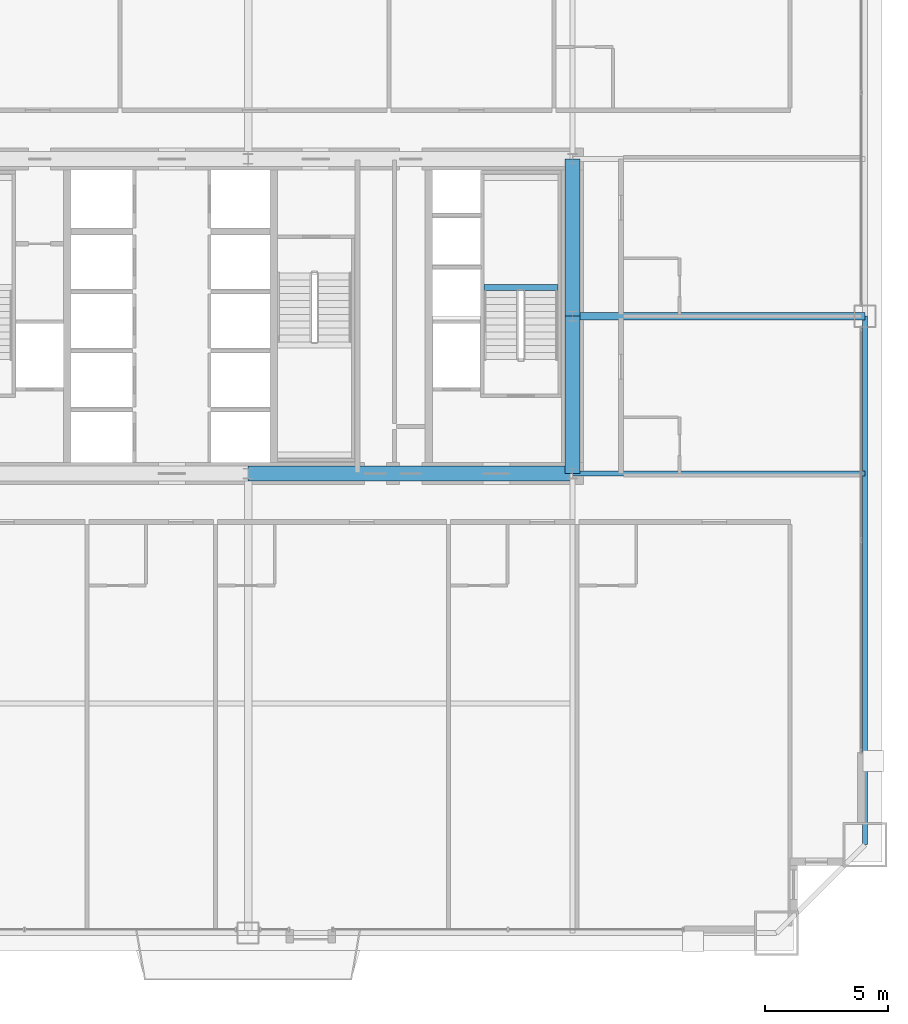
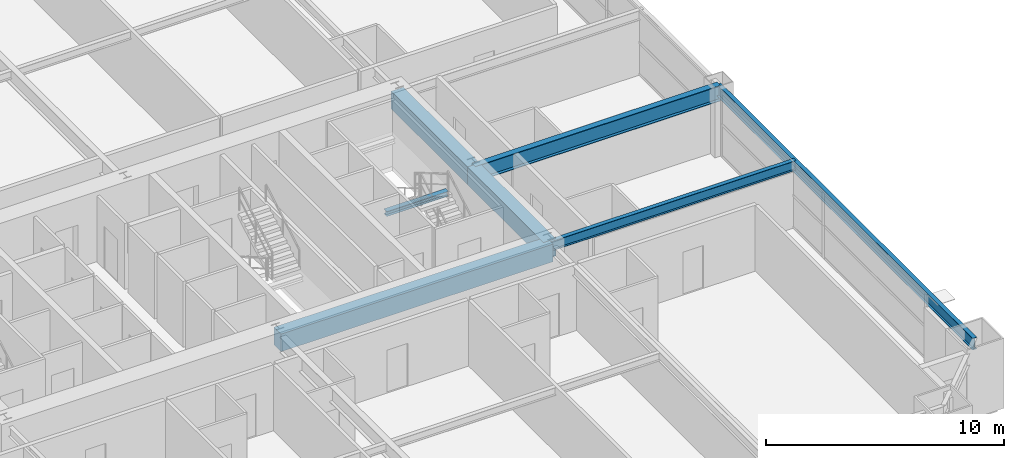
# One storey, part 20 of 46: 7 beams.
"""IFC4 building model written with IfcOpenShell, lengths in metres."""

from ifc_helpers import new_model, si_unit, direction, frame, origin, origin_2d, place, context, subcontext, project, spatial, rectangle, i_section, extrude, source, transform, mapped, material, material_profile, profile_set, type_object, element, save


model = new_model("IFC4")

# Units and contexts
model_context = context("Model", 3, precision=1e-05, world=origin(), true_north=direction((0.0, 1.0)))
body_context = subcontext(model_context, "Body", "Model", "MODEL_VIEW")
ifc_project = project(units=[si_unit("LENGTHUNIT", "METRE"), si_unit("AREAUNIT", "SQUARE_METRE"), si_unit("VOLUMEUNIT", "CUBIC_METRE"), si_unit("PLANEANGLEUNIT", "RADIAN"), si_unit("MASSUNIT", "GRAM", prefix="KILO"), si_unit("THERMODYNAMICTEMPERATUREUNIT", "KELVIN"), si_unit("POWERUNIT", "WATT")], contexts=[model_context])

# Site, building, storey
site_placement = place(None, origin())
site = spatial("IfcSite", under=ifc_project, at=site_placement, CompositionType="ELEMENT")
building_placement = place(site_placement, origin())
building = spatial("IfcBuilding", under=site, at=building_placement, Name="Yuzanri Waterfront Tower", CompositionType="ELEMENT")
storey_placement = place(building_placement, frame((0.0, 0.0, 56.800048828125)))
storey = spatial("IfcBuildingStorey", under=building, at=storey_placement, Name="L14", CompositionType="ELEMENT", Elevation=56.800048828125)

# Beams
ifc_material_1 = material(Name="Concrete C60", Category="concrete")
ifc_material_profile_1 = material_profile(ifc_material_1, rectangle(XDim=0.60009765625, YDim=0.89990234375, at=origin_2d()), Name="RC 600x900")
ifc_profile_set_1 = profile_set([ifc_material_profile_1], Name="Concrete C60")
beam_type_1 = type_object("IfcBeamType", Name="Core Coupling Lintel Concrete C60 600x900", PredefinedType="LINTEL", material=ifc_profile_set_1)
shared_shape_1 = source(origin(), body_context, "Body", "SweptSolid", [
    extrude(rectangle(XDim=0.60009765625, YDim=0.89990234375, at=origin_2d()), origin(), (0.0, 0.0, 1.0), 13.199951171875),
])
beam_1_placement = place(storey_placement, frame((37.0, 19.39990234375, 2.929931640625), z_axis=(1.0, 0.0, 0.0), x_axis=(0.0, 1.0, 0.0)))
element("IfcBeam", 1, at=beam_1_placement, inside=storey, type_object=beam_type_1, Name="L14 Core Tie Beam CS2", PredefinedType="LINTEL", context=body_context, shape_type="MappedRepresentation", body=[
    mapped(shared_shape_1, transform((0.0, 0.0, 0.0), scale=1.0)),
])
shared_shape_2 = source(origin(), body_context, "Body", "SweptSolid", [
    extrude(rectangle(XDim=0.60009765625, YDim=0.89990234375, at=origin_2d()), origin(), (0.0, 0.0, 1.0), 6.400146484375),
])
beam_2_placement = place(storey_placement, frame((50.199951171875, 19.39990234375, 2.929931640625), z_axis=(0.0, 1.0, 0.0), x_axis=(-1.0, 0.0, 0.0)))
element("IfcBeam", 2, at=beam_2_placement, inside=storey, type_object=beam_type_1, Name="L14 Core Tie Beam CE1", PredefinedType="LINTEL", context=body_context, shape_type="MappedRepresentation", body=[
    mapped(shared_shape_2, transform((0.0, 0.0, 0.0), scale=1.0)),
])
shared_shape_3 = source(origin(), body_context, "Body", "SweptSolid", [
    extrude(rectangle(XDim=0.60009765625, YDim=0.89990234375, at=origin_2d()), origin(), (0.0, 0.0, 1.0), 6.39990234375),
])
beam_3_placement = place(storey_placement, frame((50.199951171875, 25.800048828125, 2.929931640625), z_axis=(0.0, 1.0, 0.0), x_axis=(-1.0, 0.0, 0.0)))
element("IfcBeam", 3, at=beam_3_placement, inside=storey, type_object=beam_type_1, Name="L14 Core Tie Beam CE2", PredefinedType="LINTEL", context=body_context, shape_type="MappedRepresentation", body=[
    mapped(shared_shape_3, transform((0.0, 0.0, 0.0), scale=1.0)),
])
ifc_material_2 = material(Name="Steel Q355B", Category="steel")
ifc_material_profile_2 = material_profile(ifc_material_2, i_section(OverallWidth=0.199951171875, OverallDepth=0.60009765625, WebThickness=0.010986328125, FlangeThickness=0.01708984375, at=origin_2d()), Name="HN 600x200x11x17")
ifc_profile_set_2 = profile_set([ifc_material_profile_2], Name="Steel Q355B")
beam_type_2 = type_object("IfcBeamType", Name="Perimeter Spandrel Q355B HN 600x200", PredefinedType="SPANDREL", material=ifc_profile_set_2)
shared_shape_4 = source(origin(), body_context, "Body", "SweptSolid", [
    extrude(i_section(OverallWidth=0.199951171875, OverallDepth=0.60009765625, WebThickness=0.010986328125, FlangeThickness=0.01708984375, at=origin_2d()), origin(), (0.0, 0.0, 1.0), 21.5),
])
beam_4_placement = place(storey_placement, frame((62.10009765625, 4.300048828125, 3.079833984375), z_axis=(0.0, 1.0, 0.0), x_axis=(-1.0, 0.0, 0.0)))
element("IfcBeam", 4, at=beam_4_placement, inside=storey, type_object=beam_type_2, Name="L14 Perimeter Spandrel E1-E2", PredefinedType="SPANDREL", context=body_context, shape_type="MappedRepresentation", body=[
    mapped(shared_shape_4, transform((0.0, 0.0, 0.0), scale=1.0)),
])
ifc_material_3 = material(Name="Steel Q355B", Category="steel")
ifc_material_profile_3 = material_profile(ifc_material_3, i_section(OverallWidth=0.300048828125, OverallDepth=0.800048828125, WebThickness=0.013916015625, FlangeThickness=0.02587890625, at=origin_2d()), Name="HN 800x300x14x26")
ifc_profile_set_3 = profile_set([ifc_material_profile_3], Name="Steel Q355B")
beam_type_3 = type_object("IfcBeamType", Name="Primary Floor Girder Q355B HN 800x300", PredefinedType="BEAM", material=ifc_profile_set_3)
shared_shape_5 = source(origin(), body_context, "Body", "SweptSolid", [
    extrude(i_section(OverallWidth=0.300048828125, OverallDepth=0.800048828125, WebThickness=0.013916015625, FlangeThickness=0.02587890625, at=origin_2d()), origin(), (0.0, 0.0, 1.0), 11.900146484375),
])
beam_5_placement = place(storey_placement, frame((50.199951171875, 25.800048828125, 2.97998046875), z_axis=(1.0, 0.0, 0.0), x_axis=(0.0, 1.0, 0.0)))
element("IfcBeam", 5, at=beam_5_placement, inside=storey, type_object=beam_type_3, Name="L14 East Grid Girder", PredefinedType="BEAM", context=body_context, shape_type="MappedRepresentation", body=[
    mapped(shared_shape_5, transform((0.0, 0.0, 0.0), scale=1.0)),
])
ifc_material_4 = material(Name="Steel Q355B", Category="steel")
ifc_material_profile_4 = material_profile(ifc_material_4, i_section(OverallWidth=0.199951171875, OverallDepth=0.5, WebThickness=0.010009765625, FlangeThickness=0.01611328125, at=origin_2d()), Name="HN 500x200x10x16")
ifc_profile_set_4 = profile_set([ifc_material_profile_4], Name="Steel Q355B")
beam_type_4 = type_object("IfcBeamType", Name="Secondary Floor Beam Q355B HN 500x200", PredefinedType="BEAM", material=ifc_profile_set_4)
shared_shape_6 = source(origin(), body_context, "Body", "SweptSolid", [
    extrude(i_section(OverallWidth=0.199951171875, OverallDepth=0.5, WebThickness=0.010009765625, FlangeThickness=0.01611328125, at=origin_2d()), origin(), (0.0, 0.0, 1.0), 11.900146484375),
])
beam_6_placement = place(storey_placement, frame((50.199951171875, 19.39990234375, 3.1298828125), z_axis=(1.0, 0.0, 0.0), x_axis=(0.0, 1.0, 0.0)))
element("IfcBeam", 6, at=beam_6_placement, inside=storey, type_object=beam_type_4, Name="L14 East-South Core Line Beam", PredefinedType="BEAM", context=body_context, shape_type="MappedRepresentation", body=[
    mapped(shared_shape_6, transform((0.0, 0.0, 0.0), scale=1.0)),
])
ifc_material_5 = material(Name="Steel Q355B", Category="steel")
ifc_material_profile_5 = material_profile(ifc_material_5, i_section(OverallWidth=0.25, OverallDepth=0.25, WebThickness=0.009033203125, FlangeThickness=0.013916015625, at=origin_2d()), Name="HW 250x250x9x14")
ifc_profile_set_5 = profile_set([ifc_material_profile_5], Name="Steel Q355B")
beam_type_5 = type_object("IfcBeamType", Name="Stair Landing Support Beam Q355B HW 250x250", PredefinedType="BEAM", material=ifc_profile_set_5)
shared_shape_7 = source(origin(), body_context, "Body", "SweptSolid", [
    extrude(i_section(OverallWidth=0.25, OverallDepth=0.25, WebThickness=0.009033203125, FlangeThickness=0.013916015625, at=origin_2d()), origin(), (0.0, 0.0, 1.0), 3.0),
])
beam_7_placement = place(storey_placement, frame((46.60009765625, 26.969970703125, 1.474853515625), z_axis=(1.0, 0.0, 0.0), x_axis=(0.0, 1.0, 0.0)))
element("IfcBeam", 7, at=beam_7_placement, inside=storey, type_object=beam_type_5, Name="L14 Stair Landing Support Beam ST-02-L14-L1-1", PredefinedType="BEAM", context=body_context, shape_type="MappedRepresentation", body=[
    mapped(shared_shape_7, transform((0.0, 0.0, 0.0), scale=1.0)),
])

save(model, "model.ifc")
